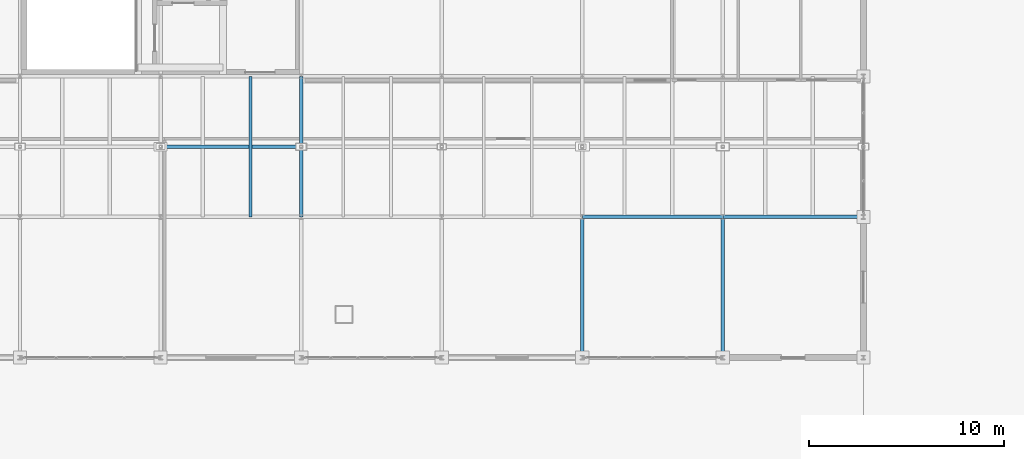
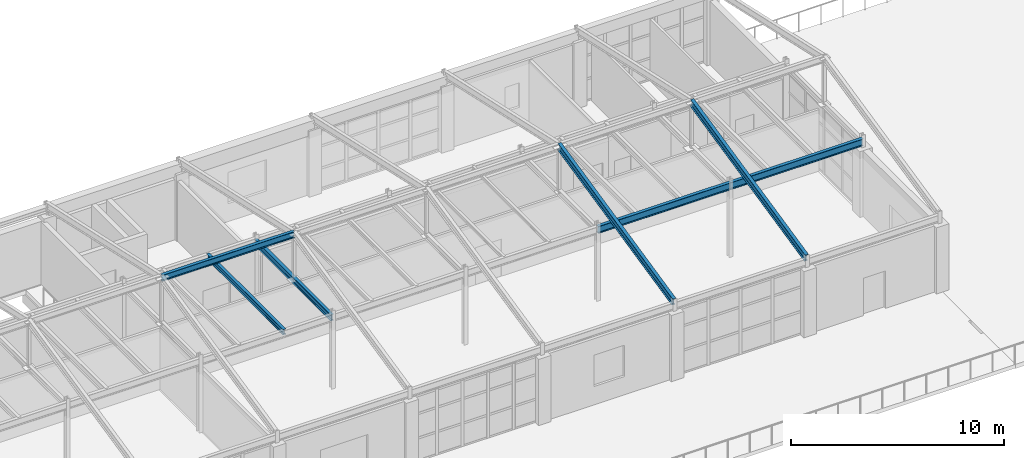
# One storey, part 63 of 101: 7 beams.
"""IFC4 building model written with IfcOpenShell, lengths in metres."""

from ifc_helpers import new_model, si_unit, direction, frame, origin, origin_2d, place, context, subcontext, project, spatial, i_section, extrude, material, material_profile, profile_set, type_object, element, save


model = new_model("IFC4")

# Units and contexts
model_context = context("Model", 3, precision=1e-05, world=origin(), true_north=direction((0.0, 1.0)))
body_context = subcontext(model_context, "Body", "Model", "MODEL_VIEW")
ifc_project = project(units=[si_unit("LENGTHUNIT", "METRE"), si_unit("AREAUNIT", "SQUARE_METRE"), si_unit("VOLUMEUNIT", "CUBIC_METRE"), si_unit("PLANEANGLEUNIT", "RADIAN"), si_unit("MASSUNIT", "GRAM", prefix="KILO")], contexts=[model_context])

# Site, building, storey
site_placement = place(None, origin())
site = spatial("IfcSite", under=ifc_project, at=site_placement, CompositionType="ELEMENT")
building_placement = place(site_placement, origin())
building = spatial("IfcBuilding", under=site, at=building_placement, Name="Kemerveld Promenade Tramway Depot", CompositionType="ELEMENT")
storey_placement = place(building_placement, frame((0.0, 0.0, 9.89990234375)))
storey = spatial("IfcBuildingStorey", under=building, at=storey_placement, Name="L02", CompositionType="ELEMENT", Elevation=9.89990234375)

# Beams
ifc_material = material(Name="Steel S355", Category="steel")
ifc_material_profile_1 = material_profile(ifc_material, i_section(OverallWidth=0.1787109375, OverallDepth=0.409423828125, WebThickness=0.0087890625, FlangeThickness=0.014404296875, FilletRadius=0.01025390625, at=origin_2d()), Name="406x178x67 UB")
ifc_profile_set_1 = profile_set([ifc_material_profile_1], Name="Steel S355")
beam_type_1 = type_object("IfcBeamType", Name="BM-G07", PredefinedType="BEAM", material=ifc_profile_set_1)
beam_1_placement = place(storey_placement, frame((115.199951171875, 14.39990234375, 4.0703125), z_axis=(1.0, 0.0, 0.0), x_axis=(0.0, 1.0, 0.0)))
element("IfcBeam", 1, at=beam_1_placement, inside=storey, type_object=beam_type_1, Name="BMX-L02-17-18-C", PredefinedType="BEAM", context=body_context, shape_type="SweptSolid", body=[
    extrude(i_section(OverallWidth=0.1787109375, OverallDepth=0.409423828125, WebThickness=0.0087890625, FlangeThickness=0.014404296875, FilletRadius=0.01025390625, at=origin_2d()), origin(), (0.0, 0.0, 1.0), 7.199951171875),
])
beam_2_placement = place(storey_placement, frame((122.39990234375, 14.39990234375, 4.0703125), z_axis=(1.0, 0.0, 0.0), x_axis=(0.0, 1.0, 0.0)))
element("IfcBeam", 2, at=beam_2_placement, inside=storey, type_object=beam_type_1, Name="BMX-L02-18-19-C", PredefinedType="BEAM", context=body_context, shape_type="SweptSolid", body=[
    extrude(i_section(OverallWidth=0.1787109375, OverallDepth=0.409423828125, WebThickness=0.0087890625, FlangeThickness=0.014404296875, FilletRadius=0.01025390625, at=origin_2d()), origin(), (0.0, 0.0, 1.0), 7.2001953125),
])
for number, where, z_axis, x_axis, name in (
    (3, (115.199951171875, 7.199951171875, 4.275390625), (0.0, 0.976189137057, 0.216921111677), (-1.0, 0.0, 0.0), "RAF-V4-17-S"),
    (4, (122.39990234375, 7.199951171875, 4.275390625), (0.0, 0.976189137057, 0.216921111677), (-1.0, 0.0, 0.0), "RAF-V4-18-S"),
):
    element("IfcBeam", number, at=place(storey_placement, frame(where, z_axis=z_axis, x_axis=x_axis)), inside=storey, type_object=beam_type_1, Name=name, PredefinedType="BEAM", context=body_context, shape_type="SweptSolid", body=[
        extrude(i_section(OverallWidth=0.1787109375, OverallDepth=0.409423828125, WebThickness=0.0087890625, FlangeThickness=0.014404296875, FilletRadius=0.01025390625, at=origin_2d()), origin(), (0.0, 0.0, 1.0), 11.0634765625),
    ])
ifc_material_profile_2 = material_profile(ifc_material, i_section(OverallWidth=0.172119140625, OverallDepth=0.35791015625, WebThickness=0.008056640625, FlangeThickness=0.012939453125, FilletRadius=0.01025390625, at=origin_2d()), Name="356x171x57 UB")
ifc_profile_set_2 = profile_set([ifc_material_profile_2], Name="Steel S355")
beam_type_2 = type_object("IfcBeamType", Name="BM-G08", PredefinedType="BEAM", material=ifc_profile_set_2)
beam_3_placement = place(storey_placement, frame((100.800048828125, 14.39990234375, 4.041015625), z_axis=(0.0, 1.0, 0.0), x_axis=(-1.0, 0.0, 0.0)))
element("IfcBeam", 5, at=beam_3_placement, inside=storey, type_object=beam_type_2, Name="BMY-L02-15-C-D", PredefinedType="BEAM", context=body_context, shape_type="SweptSolid", body=[
    extrude(i_section(OverallWidth=0.172119140625, OverallDepth=0.35791015625, WebThickness=0.008056640625, FlangeThickness=0.012939453125, FilletRadius=0.01025390625, at=origin_2d()), origin(), (0.0, 0.0, 1.0), 7.2001953125),
])
beam_4_placement = place(storey_placement, frame((93.60009765625, 18.0, 6.67529296875), z_axis=(1.0, 0.0, 0.0), x_axis=(0.0, 1.0, 0.0)))
element("IfcBeam", 6, at=beam_4_placement, inside=storey, type_object=beam_type_2, Name="BM-RDG-V4-6", PredefinedType="BEAM", context=body_context, shape_type="SweptSolid", body=[
    extrude(i_section(OverallWidth=0.172119140625, OverallDepth=0.35791015625, WebThickness=0.008056640625, FlangeThickness=0.012939453125, FilletRadius=0.01025390625, at=origin_2d()), origin(), (0.0, 0.0, 1.0), 7.199951171875),
])
ifc_material_profile_3 = material_profile(ifc_material, i_section(OverallWidth=0.165771484375, OverallDepth=0.306640625, WebThickness=0.006591796875, FlangeThickness=0.01171875, FilletRadius=0.0087890625, at=origin_2d()), Name="305x165x46 UB")
ifc_profile_set_3 = profile_set([ifc_material_profile_3], Name="Steel S355")
beam_type_3 = type_object("IfcBeamType", Name="BM-J01", PredefinedType="JOIST", material=ifc_profile_set_3)
beam_5_placement = place(storey_placement, frame((98.2080078125, 14.39990234375, 4.121826171875), z_axis=(0.0, 1.0, 0.0), x_axis=(-1.0, 0.0, 0.0)))
element("IfcBeam", 7, at=beam_5_placement, inside=storey, type_object=beam_type_3, Name="JST-L02-14-C-2", PredefinedType="JOIST", context=body_context, shape_type="SweptSolid", body=[
    extrude(i_section(OverallWidth=0.165771484375, OverallDepth=0.306640625, WebThickness=0.006591796875, FlangeThickness=0.01171875, FilletRadius=0.0087890625, at=origin_2d()), origin(), (0.0, 0.0, 1.0), 7.2001953125),
])

save(model, "model.ifc")
